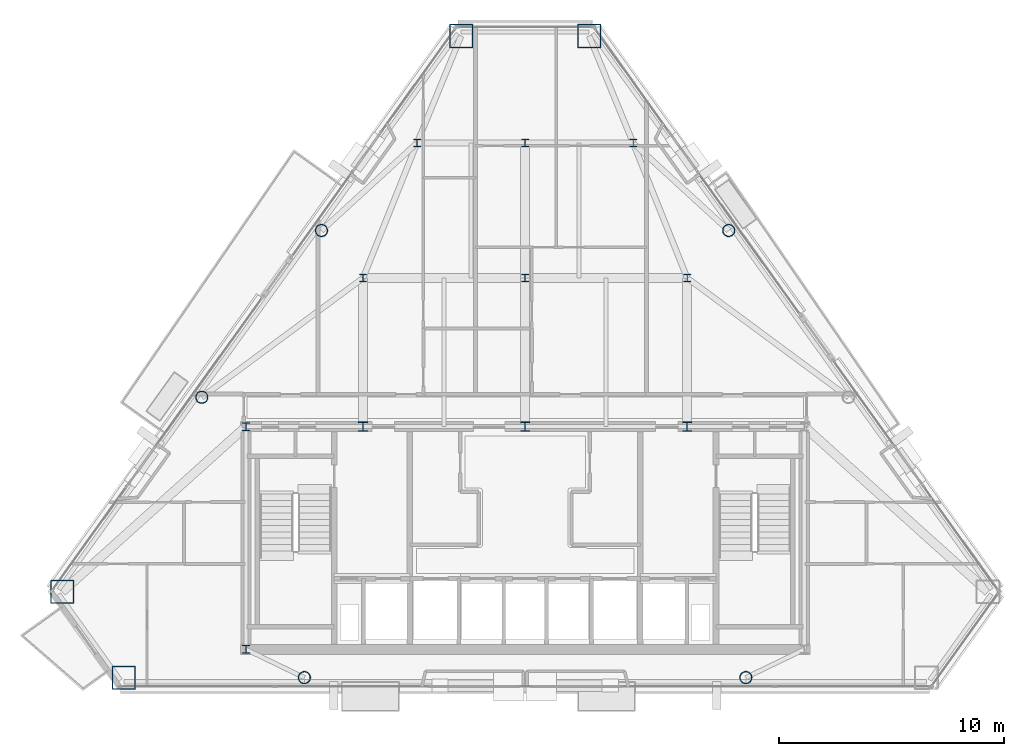
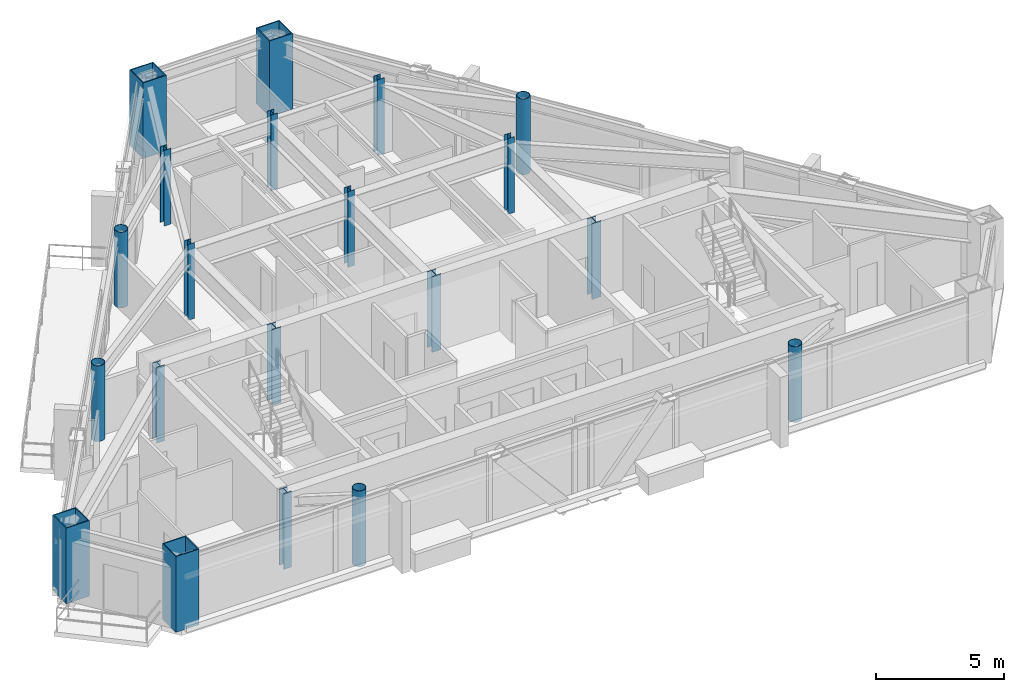
# One storey, part 1 of 12: 20 columns.
"""IFC4 building model written with IfcOpenShell, lengths in metres."""

from ifc_helpers import new_model, si_unit, direction, frame, origin, origin_2d, place, context, subcontext, project, spatial, hollow_rectangle, hollow_circle, i_section, extrude, material, material_profile, profile_set, type_object, element, save


model = new_model("IFC4")

# Units and contexts
model_context = context("Model", 3, precision=1e-05, world=origin(), true_north=direction((0.0, 1.0)))
body_context = subcontext(model_context, "Body", "Model", "MODEL_VIEW")
ifc_project = project(units=[si_unit("LENGTHUNIT", "METRE"), si_unit("AREAUNIT", "SQUARE_METRE"), si_unit("VOLUMEUNIT", "CUBIC_METRE"), si_unit("PLANEANGLEUNIT", "RADIAN"), si_unit("MASSUNIT", "GRAM", prefix="KILO")], contexts=[model_context])

# Site, building, storey
site_placement = place(None, origin())
site = spatial("IfcSite", under=ifc_project, at=site_placement, CompositionType="ELEMENT")
building_placement = place(site_placement, origin())
building = spatial("IfcBuilding", under=site, at=building_placement, Name="Talgorran Terracotta Tower", CompositionType="ELEMENT")
storey_placement = place(building_placement, frame((0.0, 0.0, 225.300048828125)))
storey = spatial("IfcBuildingStorey", under=building, at=storey_placement, Name="L59", CompositionType="ELEMENT", Elevation=225.300048828125)

# Columns
ifc_material_1 = material(Name="Steel S355 (300PLUS)", Category="steel")
ifc_material_profile_1 = material_profile(ifc_material_1, i_section(OverallWidth=0.306884765625, OverallDepth=0.314453125, WebThickness=0.011962890625, FlangeThickness=0.018798828125, at=origin_2d()), Name="310UC118")
ifc_profile_set_1 = profile_set([ifc_material_profile_1], Name="Steel S355 (300PLUS)")
column_type_1 = type_object("IfcColumnType", Name="COL_310UC118", PredefinedType="COLUMN", material=ifc_profile_set_1)
for number, where, z_axis, x_axis, name in (
    (1, (-7.199951171875, 2.39990234375, 0.0), (0.0, 0.0, 1.0), (1.0, 0.0, 0.0), "L59 Interior Gravity Column IC1"),
    (2, (0.0, 2.39990234375, 0.0), (0.0, 0.0, 1.0), (1.0, 0.0, 0.0), "L59 Interior Gravity Column IC2"),
    (3, (7.199951171875, 2.39990234375, 0.0), (0.0, 0.0, 1.0), (1.0, 0.0, 0.0), "L59 Interior Gravity Column IC3"),
    (4, (-4.800048828125, 8.39990234375, 0.0), (0.0, 0.0, 1.0), (1.0, 0.0, 0.0), "L59 Interior Gravity Column IC4"),
    (5, (0.0, 8.39990234375, 0.0), (0.0, 0.0, 1.0), (1.0, 0.0, 0.0), "L59 Interior Gravity Column IC5"),
    (6, (4.800048828125, 8.39990234375, 0.0), (0.0, 0.0, 1.0), (1.0, 0.0, 0.0), "L59 Interior Gravity Column IC6"),
):
    element("IfcColumn", number, at=place(storey_placement, frame(where, z_axis=z_axis, x_axis=x_axis)), inside=storey, type_object=column_type_1, Name=name, PredefinedType="COLUMN", context=body_context, shape_type="SweptSolid", body=[
        extrude(i_section(OverallWidth=0.306884765625, OverallDepth=0.314453125, WebThickness=0.011962890625, FlangeThickness=0.018798828125, at=origin_2d()), origin(), (0.0, 0.0, 1.0), 3.599853515625),
    ])
ifc_material_profile_2 = material_profile(ifc_material_1, i_section(OverallWidth=0.35205078125, OverallDepth=0.35888671875, WebThickness=0.01806640625, FlangeThickness=0.02587890625, at=origin_2d()), Name="350WC197")
ifc_profile_set_2 = profile_set([ifc_material_profile_2], Name="Steel S355 (300PLUS)")
column_type_2 = type_object("IfcColumnType", Name="COL_350WC197", PredefinedType="COLUMN", material=ifc_profile_set_2)
for number, where, z_axis, x_axis, name in (
    (7, (-12.39990234375, -14.10009765625, 0.0), (0.0, 0.0, 1.0), (1.0, 0.0, 0.0), "L59 Core Boundary Column CC1"),
    (8, (-12.39990234375, -4.199951171875, 0.0), (0.0, 0.0, 1.0), (1.0, 0.0, 0.0), "L59 Core Boundary Column CC4"),
):
    element("IfcColumn", number, at=place(storey_placement, frame(where, z_axis=z_axis, x_axis=x_axis)), inside=storey, type_object=column_type_2, Name=name, PredefinedType="COLUMN", context=body_context, shape_type="SweptSolid", body=[
        extrude(i_section(OverallWidth=0.35205078125, OverallDepth=0.35888671875, WebThickness=0.01806640625, FlangeThickness=0.02587890625, at=origin_2d()), origin(), (0.0, 0.0, 1.0), 3.599853515625),
    ])
ifc_material_2 = material(Name="Steel Grade 350 (350L0)", Category="steel")
ifc_material_profile_3 = material_profile(ifc_material_2, hollow_rectangle(XDim=1.050048828125, YDim=1.050048828125, WallThickness=0.044921875, at=origin_2d()), Name="CFT1050X1050X45")
ifc_profile_set_3 = profile_set([ifc_material_profile_3], Name="Steel Grade 350 (350L0)")
column_type_3 = type_object("IfcColumnType", Name="COL_CFT_1050", PredefinedType="COLUMN", material=ifc_profile_set_3)
for number, where, z_axis, x_axis, name in (
    (9, (-20.566650390625, -11.53955078125, 0.0), (0.0, 0.0, 1.0), (1.0, 0.0, 0.0), "L59 Corner CFT Mega-Column MC1"),
    (10, (-17.830078125, -15.352294921875, 0.0), (0.0, 0.0, 1.0), (1.0, 0.0, 0.0), "L59 Corner CFT Mega-Column MC2"),
    (11, (2.843017578125, 13.153076171875, 0.0), (0.0, 0.0, 1.0), (1.0, 0.0, 0.0), "L59 Corner CFT Mega-Column MC5"),
    (12, (-2.843017578125, 13.153076171875, 0.0), (0.0, 0.0, 1.0), (1.0, 0.0, 0.0), "L59 Corner CFT Mega-Column MC6"),
):
    element("IfcColumn", number, at=place(storey_placement, frame(where, z_axis=z_axis, x_axis=x_axis)), inside=storey, type_object=column_type_3, Name=name, PredefinedType="COLUMN", context=body_context, shape_type="SweptSolid", body=[
        extrude(hollow_rectangle(XDim=1.050048828125, YDim=1.050048828125, WallThickness=0.044921875, at=origin_2d()), origin(), (0.0, 0.0, 1.0), 3.599853515625),
    ])
ifc_material_profile_4 = material_profile(ifc_material_2, hollow_circle(Radius=0.27490234375, WallThickness=0.02392578125, at=origin_2d()), Name="CHS550X24")
ifc_profile_set_4 = profile_set([ifc_material_profile_4], Name="Steel Grade 350 (350L0)")
column_type_4 = type_object("IfcColumnType", Name="COL_CHS_550", PredefinedType="COLUMN", material=ifc_profile_set_4)
for number, where, z_axis, x_axis, name in (
    (13, (-9.806640625, -15.352294921875, 0.0), (0.0, 0.0, 1.0), (1.0, 0.0, 0.0), "L59 Facet Perimeter Column FC1"),
    (14, (9.806640625, -15.352294921875, 0.0), (0.0, 0.0, 1.0), (1.0, 0.0, 0.0), "L59 Facet Perimeter Column FC2"),
    (15, (9.04638671875, 4.510498046875, 0.0), (0.0, 0.0, 1.0), (1.0, 0.0, 0.0), "L59 Facet Perimeter Column FC4"),
    (16, (-9.04638671875, 4.510498046875, 0.0), (0.0, 0.0, 1.0), (1.0, 0.0, 0.0), "L59 Facet Perimeter Column FC5"),
    (17, (-14.36328125, -2.897216796875, 0.0), (0.0, 0.0, 1.0), (1.0, 0.0, 0.0), "L59 Facet Perimeter Column FC6"),
):
    element("IfcColumn", number, at=place(storey_placement, frame(where, z_axis=z_axis, x_axis=x_axis)), inside=storey, type_object=column_type_4, Name=name, PredefinedType="COLUMN", context=body_context, shape_type="SweptSolid", body=[
        extrude(hollow_circle(Radius=0.27490234375, WallThickness=0.02392578125, at=origin_2d()), origin(), (0.0, 0.0, 1.0), 3.599853515625),
    ])
ifc_material_profile_5 = material_profile(ifc_material_1, i_section(OverallWidth=0.405029296875, OverallDepth=0.4140625, WebThickness=0.02197265625, FlangeThickness=0.031982421875, at=origin_2d()), Name="400WC270")
ifc_profile_set_5 = profile_set([ifc_material_profile_5], Name="Steel S355 (300PLUS)")
column_type_5 = type_object("IfcColumnType", Name="COL_PIL_400WC270", PredefinedType="PILASTER", material=ifc_profile_set_5)
for number, where, z_axis, x_axis, name in (
    (18, (-7.199951171875, -4.199951171875, 0.0), (0.0, 0.0, 1.0), (1.0, 0.0, 0.0), "L59 Core Shear Pilaster CP1"),
    (19, (0.0, -4.199951171875, 0.0), (0.0, 0.0, 1.0), (1.0, 0.0, 0.0), "L59 Core Shear Pilaster CP2"),
    (20, (7.199951171875, -4.199951171875, 0.0), (0.0, 0.0, 1.0), (1.0, 0.0, 0.0), "L59 Core Shear Pilaster CP3"),
):
    element("IfcColumn", number, at=place(storey_placement, frame(where, z_axis=z_axis, x_axis=x_axis)), inside=storey, type_object=column_type_5, Name=name, PredefinedType="PILASTER", context=body_context, shape_type="SweptSolid", body=[
        extrude(i_section(OverallWidth=0.405029296875, OverallDepth=0.4140625, WebThickness=0.02197265625, FlangeThickness=0.031982421875, at=origin_2d()), origin(), (0.0, 0.0, 1.0), 3.599853515625),
    ])

save(model, "model.ifc")
